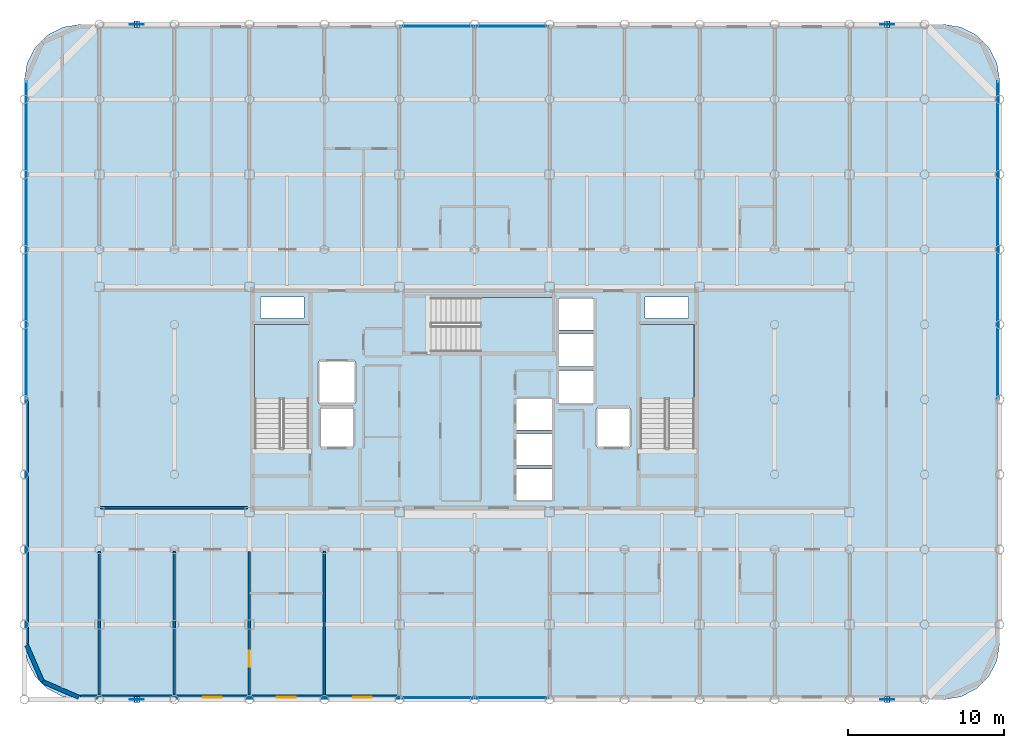
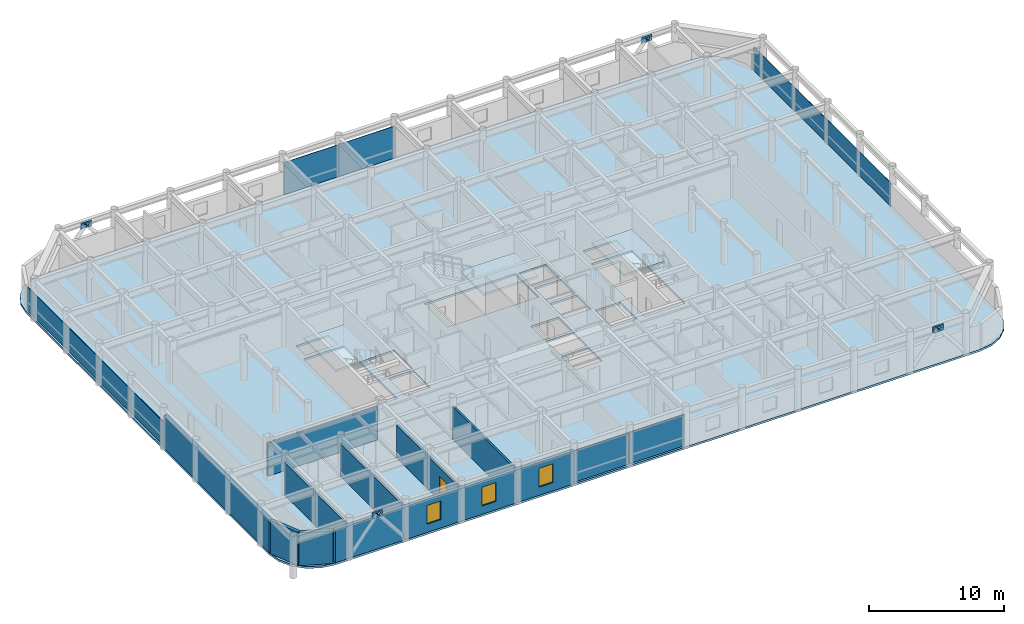
# One storey, part 17 of 23: 18 plates, 9 walls, 4 slabs, 3 windows, 1 door, 4 openings, 7 elements without a shape of their own.
"""IFC4 building model written with IfcOpenShell, lengths in metres."""

from ifc_helpers import new_model, si_unit, direction, frame, frame_2d, origin, origin_2d, place, context, subcontext, project, spatial, polyline, rectangle, outline, extrude, material, layer, layer_set, type_object, element, fill, aggregate, save


model = new_model("IFC4")

# Units and contexts
model_context = context("Model", 3, precision=1e-05, world=origin(), true_north=direction((0.0, 1.0)))
body_context = subcontext(model_context, "Body", "Model", "MODEL_VIEW")
ifc_project = project(units=[si_unit("LENGTHUNIT", "METRE"), si_unit("AREAUNIT", "SQUARE_METRE"), si_unit("VOLUMEUNIT", "CUBIC_METRE"), si_unit("PLANEANGLEUNIT", "RADIAN"), si_unit("MASSUNIT", "GRAM", prefix="KILO")], contexts=[model_context])

# Site, building, storey
site_placement = place(None, origin())
site = spatial("IfcSite", under=ifc_project, at=site_placement, CompositionType="ELEMENT")
building_placement = place(site_placement, origin())
building = spatial("IfcBuilding", under=site, at=building_placement, Name="Kallvorn Hotel Tower", CompositionType="ELEMENT")
storey_placement = place(building_placement, frame((0.0, 0.0, 237.699951171875)))
storey = spatial("IfcBuildingStorey", under=building, at=storey_placement, Name="L59", CompositionType="ELEMENT", Elevation=237.699951171875)

# Curtain wall, plates
ifc_material_1 = material(Name="Thermally broken black-anodised aluminium AA 6063-T6", Category="aluminium")
ifc_layer_1 = layer(ifc_material_1, 0.22998046875)
ifc_layer_set_1 = layer_set([ifc_layer_1], Name="CW_SYS_5_HOTEL_HIGH")
curtain_wall_type = type_object("IfcCurtainWallType", Name="CW_SYS_5_HOTEL_HIGH", PredefinedType="USERDEFINED", material=ifc_layer_set_1)
curtain_wall_1_placement = place(storey_placement, origin())
curtain_wall_1 = element("IfcCurtainWall", 1, at=curtain_wall_1_placement, inside=storey, type_object=curtain_wall_type, Name="L59 Dark-Glass Curtain Wall CW-L59-SC", ObjectType="UNITISED CURTAIN WALL", PredefinedType="USERDEFINED")
ifc_material_2 = material(Name="Triple-glazed low-e acoustic solar-control dark glass", Category="glass")
ifc_layer_2 = layer(ifc_material_2, 0.04150390625)
ifc_layer_set_2 = layer_set([ifc_layer_2], Name="CW_SYS_5_HOTEL_HIGH_PANEL")
plate_type_1 = type_object("IfcPlateType", Name="CW_SYS_5_HOTEL_HIGH_PANEL", PredefinedType="CURTAIN_PANEL", material=ifc_layer_set_2)
plate_1_placement = place(storey_placement, frame((-2.375, -19.080078125, 0.06005859375), z_axis=(0.0, 0.0, 1.0), x_axis=(1.0, 0.0, 0.0)))
plate_1 = element("IfcPlate", 2, at=plate_1_placement, type_object=plate_type_1, Name="CW-L59-SC Vision Glass Panel 00", PredefinedType="CURTAIN_PANEL", context=body_context, shape_type="SweptSolid", body=[
    extrude(rectangle(XDim=4.68994140625, YDim=0.04150390625, at=origin_2d()), origin(), (0.0, 0.0, 1.0), 2.85009765625),
])
plate_2_placement = place(storey_placement, frame((2.375, -19.080078125, 0.06005859375), z_axis=(0.0, 0.0, 1.0), x_axis=(1.0, 0.0, 0.0)))
plate_2 = element("IfcPlate", 3, at=plate_2_placement, type_object=plate_type_1, Name="CW-L59-SC Vision Glass Panel 01", PredefinedType="CURTAIN_PANEL", context=body_context, shape_type="SweptSolid", body=[
    extrude(rectangle(XDim=4.68994140625, YDim=0.04150390625, at=origin_2d()), origin(), (0.0, 0.0, 1.0), 2.85009765625),
])
aggregate(curtain_wall_1, [plate_1, plate_2])

curtain_wall_2_placement = place(storey_placement, origin())
curtain_wall_2 = element("IfcCurtainWall", 4, at=curtain_wall_2_placement, inside=storey, type_object=curtain_wall_type, Name="L59 Dark-Glass Curtain Wall CW-L59-NC", ObjectType="UNITISED CURTAIN WALL", PredefinedType="USERDEFINED")
plate_3_placement = place(storey_placement, frame((-2.375, 23.8798828125, 0.06005859375), z_axis=(0.0, 0.0, 1.0), x_axis=(1.0, 0.0, 0.0)))
plate_3 = element("IfcPlate", 5, at=plate_3_placement, type_object=plate_type_1, Name="CW-L59-NC Vision Glass Panel 00", PredefinedType="CURTAIN_PANEL", context=body_context, shape_type="SweptSolid", body=[
    extrude(rectangle(XDim=4.68994140625, YDim=0.04150390625, at=origin_2d()), origin(), (0.0, 0.0, 1.0), 2.89990234375),
])
plate_4_placement = place(storey_placement, frame((2.375, 23.8798828125, 0.06005859375), z_axis=(0.0, 0.0, 1.0), x_axis=(1.0, 0.0, 0.0)))
plate_4 = element("IfcPlate", 6, at=plate_4_placement, type_object=plate_type_1, Name="CW-L59-NC Vision Glass Panel 01", PredefinedType="CURTAIN_PANEL", context=body_context, shape_type="SweptSolid", body=[
    extrude(rectangle(XDim=4.68994140625, YDim=0.04150390625, at=origin_2d()), origin(), (0.0, 0.0, 1.0), 2.89990234375),
])
aggregate(curtain_wall_2, [plate_3, plate_4])

# Curtain wall, plate
curtain_wall_3_placement = place(storey_placement, origin())
curtain_wall_3 = element("IfcCurtainWall", 7, at=curtain_wall_3_placement, inside=storey, type_object=curtain_wall_type, Name="L59 Dark-Glass Curtain Wall CW-L59-WN", ObjectType="UNITISED CURTAIN WALL", PredefinedType="USERDEFINED")
plate_5_placement = place(storey_placement, frame((-28.679931640625, 10.2099609375, 0.06005859375), z_axis=(0.0, 0.0, 1.0), x_axis=(0.0, 1.0, 0.0)))
plate_5 = element("IfcPlate", 8, at=plate_5_placement, type_object=plate_type_1, Name="CW-L59-WN Vision Glass Panel 00", PredefinedType="CURTAIN_PANEL", context=body_context, shape_type="SweptSolid", body=[
    extrude(rectangle(XDim=20.320068359375, YDim=0.04150390625, at=origin_2d()), origin(), (0.0, 0.0, 1.0), 2.14990234375),
])
aggregate(curtain_wall_3, [plate_5])

curtain_wall_4_placement = place(storey_placement, origin())
curtain_wall_4 = element("IfcCurtainWall", 9, at=curtain_wall_4_placement, inside=storey, type_object=curtain_wall_type, Name="L59 Dark-Glass Curtain Wall CW-L59-EN", ObjectType="UNITISED CURTAIN WALL", PredefinedType="USERDEFINED")
plate_6_placement = place(storey_placement, frame((33.47998046875, 10.2099609375, 0.06005859375), z_axis=(0.0, 0.0, 1.0), x_axis=(0.0, 1.0, 0.0)))
plate_6 = element("IfcPlate", 10, at=plate_6_placement, type_object=plate_type_1, Name="CW-L59-EN Vision Glass Panel 00", PredefinedType="CURTAIN_PANEL", context=body_context, shape_type="SweptSolid", body=[
    extrude(rectangle(XDim=20.320068359375, YDim=0.04150390625, at=origin_2d()), origin(), (0.0, 0.0, 1.0), 2.14990234375),
])
aggregate(curtain_wall_4, [plate_6])

# Plates
ifc_material_3 = material(Name="Structural steel S355JR", Category="steel")
ifc_layer_3 = layer(ifc_material_3, 0.030029296875)
ifc_layer_set_3 = layer_set([ifc_layer_3], Name="PLT_CAP_30")
plate_type_2 = type_object("IfcPlateType", Name="PLT_CAP_30", PredefinedType="SHEET", material=ifc_layer_set_3)
plate_7_placement = place(storey_placement, frame((-21.435546875, -19.40185546875, 3.092529296875), z_axis=(0.620780353498, 0.0, 0.783984536015), x_axis=(0.0, 1.0, 0.0)))
element("IfcPlate", 11, at=plate_7_placement, inside=storey, type_object=plate_type_2, Name="EXO-L59-S1A End Cap Plate B", PredefinedType="SHEET", context=body_context, shape_type="SweptSolid", body=[
    extrude(outline(polyline([(0.0, 0.0), (0.40380859375, 0.0), (0.40380859375, 0.40389877105813043), (0.0, 0.40389877105813043), (0.0, 0.0)])), origin(), (0.0, 0.0, -1.0), 0.030029296875),
])
plate_8_placement = place(storey_placement, frame((-21.764404296875, -18.998046875, 3.092529296875), z_axis=(-0.621074629096, 0.0, 0.78375143068), x_axis=(0.0, -1.0, 0.0)))
element("IfcPlate", 12, at=plate_8_placement, inside=storey, type_object=plate_type_2, Name="EXO-L59-S1B End Cap Plate B", PredefinedType="SHEET", context=body_context, shape_type="SweptSolid", body=[
    extrude(outline(polyline([(0.0, 0.0), (0.40380859375, 0.0), (0.40380859375, 0.4037073970320156), (0.0, 0.4037073970320156), (0.0, 0.0)])), origin(), (0.0, 0.0, -1.0), 0.030029296875),
])
plate_9_placement = place(storey_placement, frame((26.564453125, -19.40185546875, 3.092529296875), z_axis=(0.620780353498, 0.0, 0.783984536015), x_axis=(0.0, 1.0, 0.0)))
element("IfcPlate", 13, at=plate_9_placement, inside=storey, type_object=plate_type_2, Name="EXO-L59-S2A End Cap Plate B", PredefinedType="SHEET", context=body_context, shape_type="SweptSolid", body=[
    extrude(outline(polyline([(0.0, 0.0), (0.40380859375, 0.0), (0.40380859375, 0.40389877105813043), (0.0, 0.40389877105813043), (0.0, 0.0)])), origin(), (0.0, 0.0, -1.0), 0.030029296875),
])
plate_10_placement = place(storey_placement, frame((26.235595703125, -18.998046875, 3.092529296875), z_axis=(-0.621074629096, 0.0, 0.78375143068), x_axis=(0.0, -1.0, 0.0)))
element("IfcPlate", 14, at=plate_10_placement, inside=storey, type_object=plate_type_2, Name="EXO-L59-S2B End Cap Plate B", PredefinedType="SHEET", context=body_context, shape_type="SweptSolid", body=[
    extrude(outline(polyline([(0.0, 0.0), (0.40380859375, 0.0), (0.40380859375, 0.4037073970320156), (0.0, 0.4037073970320156), (0.0, 0.0)])), origin(), (0.0, 0.0, -1.0), 0.030029296875),
])
plate_11_placement = place(storey_placement, frame((-21.435546875, 23.798095703125, 3.092529296875), z_axis=(0.620780353498, 0.0, 0.783984536015), x_axis=(0.0, 1.0, 0.0)))
element("IfcPlate", 15, at=plate_11_placement, inside=storey, type_object=plate_type_2, Name="EXO-L59-N1A End Cap Plate B", PredefinedType="SHEET", context=body_context, shape_type="SweptSolid", body=[
    extrude(outline(polyline([(0.0, 0.0), (0.40380859375, 0.0), (0.40380859375, 0.40389877105813043), (0.0, 0.40389877105813043), (0.0, 0.0)])), origin(), (0.0, 0.0, -1.0), 0.030029296875),
])
plate_12_placement = place(storey_placement, frame((-21.764404296875, 24.201904296875, 3.092529296875), z_axis=(-0.621074629096, 0.0, 0.78375143068), x_axis=(0.0, -1.0, 0.0)))
element("IfcPlate", 16, at=plate_12_placement, inside=storey, type_object=plate_type_2, Name="EXO-L59-N1B End Cap Plate B", PredefinedType="SHEET", context=body_context, shape_type="SweptSolid", body=[
    extrude(outline(polyline([(0.0, 0.0), (0.40380859375, 0.0), (0.40380859375, 0.4037073970320156), (0.0, 0.4037073970320156), (0.0, 0.0)])), origin(), (0.0, 0.0, -1.0), 0.030029296875),
])
plate_13_placement = place(storey_placement, frame((26.564453125, 23.798095703125, 3.092529296875), z_axis=(0.620780353498, 0.0, 0.783984536015), x_axis=(0.0, 1.0, 0.0)))
element("IfcPlate", 17, at=plate_13_placement, inside=storey, type_object=plate_type_2, Name="EXO-L59-N2A End Cap Plate B", PredefinedType="SHEET", context=body_context, shape_type="SweptSolid", body=[
    extrude(outline(polyline([(0.0, 0.0), (0.40380859375, 0.0), (0.40380859375, 0.40389877105813043), (0.0, 0.40389877105813043), (0.0, 0.0)])), origin(), (0.0, 0.0, -1.0), 0.030029296875),
])
plate_14_placement = place(storey_placement, frame((26.235595703125, 24.201904296875, 3.092529296875), z_axis=(-0.621074629096, 0.0, 0.78375143068), x_axis=(0.0, -1.0, 0.0)))
element("IfcPlate", 18, at=plate_14_placement, inside=storey, type_object=plate_type_2, Name="EXO-L59-N2B End Cap Plate B", PredefinedType="SHEET", context=body_context, shape_type="SweptSolid", body=[
    extrude(outline(polyline([(0.0, 0.0), (0.40380859375, 0.0), (0.40380859375, 0.4037073970320156), (0.0, 0.4037073970320156), (0.0, 0.0)])), origin(), (0.0, 0.0, -1.0), 0.030029296875),
])
ifc_material_4 = material(Name="Structural steel S355JR", Category="steel")
ifc_layer_4 = layer(ifc_material_4, 0.034912109375)
ifc_layer_set_4 = layer_set([ifc_layer_4], Name="PLT_GUSSET_35")
plate_type_3 = type_object("IfcPlateType", Name="PLT_GUSSET_35", PredefinedType="USERDEFINED", material=ifc_layer_set_4)
for number, where, z_axis, x_axis, name in (
    (19, (-21.60009765625, -19.199951171875, 2.89013671875), (0.0, 0.0, 1.0), (1.0, 0.0, 0.0), "L59 Exoskeleton Node Gusset S1"),
    (20, (26.39990234375, -19.199951171875, 2.89013671875), (0.0, 0.0, 1.0), (1.0, 0.0, 0.0), "L59 Exoskeleton Node Gusset S2"),
    (21, (-21.60009765625, 24.0, 2.89013671875), (0.0, 0.0, 1.0), (1.0, 0.0, 0.0), "L59 Exoskeleton Node Gusset N1"),
    (22, (26.39990234375, 24.0, 2.89013671875), (0.0, 0.0, 1.0), (1.0, 0.0, 0.0), "L59 Exoskeleton Node Gusset N2"),
):
    element("IfcPlate", number, at=place(storey_placement, frame(where, z_axis=z_axis, x_axis=x_axis)), inside=storey, type_object=plate_type_3, Name=name, ObjectType="GUSSET PLATE", PredefinedType="USERDEFINED", context=body_context, shape_type="SweptSolid", body=[
        extrude(rectangle(XDim=0.89990234375, YDim=0.034912109375, at=origin_2d()), origin(), (0.0, 0.0, 1.0), 0.56005859375),
    ])

# Stair, slab
ifc_material_5 = material(Name="Precast concrete C40/50", Category="concrete")
stair_type = type_object("IfcStairType", Name="STR_CORE_DOGLEG", PredefinedType="HALF_TURN_STAIR", material=ifc_material_5)
stair_1_placement = place(storey_placement, origin())
stair_1 = element("IfcStair", 23, at=stair_1_placement, inside=storey, type_object=stair_type, Name="L59 Exit stair ST1", PredefinedType="HALF_TURN_STAIR")
ifc_material_6 = material(Name="Precast concrete C40/50", Category="concrete")
ifc_layer_5 = layer(ifc_material_6, 0.179931640625)
ifc_layer_set_5 = layer_set([ifc_layer_5], Name="SLB_LANDING_180")
slab_type_1 = type_object("IfcSlabType", Name="SLB_LANDING_180", PredefinedType="LANDING", material=ifc_layer_set_5)
slab_1_placement = place(storey_placement, frame((0.0, 0.0, 1.72509765625)))
slab_1 = element("IfcSlab", 24, at=slab_1_placement, type_object=slab_type_1, Name="ST1 landing 1", PredefinedType="LANDING", context=body_context, shape_type="SweptSolid", body=[
    extrude(outline(polyline([(-10.60009765625, 0.010009765625), (-10.60009765625, 4.800048828125), (-14.06005859375, 4.800048828125), (-14.06005859375, 0.010009765625), (-10.60009765625, 0.010009765625)])), origin(), (0.0, 0.0, 1.0), 0.199951171875),
])
aggregate(stair_1, [slab_1])

stair_2_placement = place(storey_placement, origin())
stair_2 = element("IfcStair", 25, at=stair_2_placement, inside=storey, type_object=stair_type, Name="L59 Exit stair ST2", PredefinedType="HALF_TURN_STAIR")
slab_2_placement = place(storey_placement, frame((0.0, 0.0, 1.72509765625)))
slab_2 = element("IfcSlab", 26, at=slab_2_placement, type_object=slab_type_1, Name="ST2 landing 1", PredefinedType="LANDING", context=body_context, shape_type="SweptSolid", body=[
    extrude(outline(polyline([(14.06005859375, 0.010009765625), (14.06005859375, 4.800048828125), (10.60009765625, 4.800048828125), (10.60009765625, 0.010009765625), (14.06005859375, 0.010009765625)])), origin(), (0.0, 0.0, 1.0), 0.199951171875),
])
aggregate(stair_2, [slab_2])

stair_3_placement = place(storey_placement, origin())
stair_3 = element("IfcStair", 27, at=stair_3_placement, inside=storey, type_object=stair_type, Name="L59 Exit stair ST3", PredefinedType="HALF_TURN_STAIR")
slab_3_placement = place(storey_placement, frame((0.0, 0.0, 1.72509765625)))
slab_3 = element("IfcSlab", 28, at=slab_3_placement, type_object=slab_type_1, Name="ST3 landing 1", PredefinedType="LANDING", context=body_context, shape_type="SweptSolid", body=[
    extrude(outline(polyline([(0.360107421875, 3.050048828125), (5.050048828125, 3.050048828125), (5.050048828125, 6.510009765625), (0.360107421875, 6.510009765625), (0.360107421875, 3.050048828125)])), origin(), (0.0, 0.0, 1.0), 0.199951171875),
])
aggregate(stair_3, [slab_3])

# Slab
ifc_material_7 = material(Name="Concrete C40/50", Category="concrete")
ifc_layer_6 = layer(ifc_material_7, 0.179931640625)
ifc_layer_set_6 = layer_set([ifc_layer_6], Name="SLB_TOWER_180")
slab_type_2 = type_object("IfcSlabType", Name="SLB_TOWER_180", PredefinedType="FLOOR", material=ifc_layer_set_6)
slab_4_placement = place(storey_placement, frame((0.0, 0.0, -0.179931640625)))
element("IfcSlab", 29, at=slab_4_placement, inside=storey, type_object=slab_type_2, Name="L59 Structural Floor Slab", PredefinedType="FLOOR", context=body_context, shape_type="SweptSolid", body=[
    extrude(outline(polyline([(30.0, -19.199951171875), (31.112548828125, -19.023681640625), (32.115966796875, -18.512451171875), (32.91259765625, -17.716064453125), (33.423828125, -16.71240234375), (33.60009765625, -15.60009765625), (33.60009765625, 20.39990234375), (33.423828125, 21.512451171875), (32.91259765625, 22.51611328125), (32.115966796875, 23.3125), (31.112548828125, 23.82373046875), (30.0, 24.0), (-25.199951171875, 24.0), (-26.3125, 23.82373046875), (-27.31591796875, 23.3125), (-28.112548828125, 22.51611328125), (-28.623779296875, 21.512451171875), (-28.800048828125, 20.39990234375), (-28.800048828125, -15.60009765625), (-28.623779296875, -16.71240234375), (-28.112548828125, -17.716064453125), (-27.31591796875, -18.512451171875), (-26.3125, -19.023681640625), (-25.199951171875, -19.199951171875), (30.0, -19.199951171875)]), holes=[polyline([(-10.60009765625, -3.070068359375), (-10.60009765625, 4.800048828125), (-14.06005859375, 4.800048828125), (-14.06005859375, -3.070068359375), (-10.60009765625, -3.070068359375)]), polyline([(14.06005859375, -3.070068359375), (14.06005859375, 4.800048828125), (10.60009765625, 4.800048828125), (10.60009765625, -3.070068359375), (14.06005859375, -3.070068359375)]), polyline([(-2.719970703125, 3.050048828125), (5.050048828125, 3.050048828125), (5.050048828125, 6.510009765625), (-2.719970703125, 6.510009765625), (-2.719970703125, 3.050048828125)]), polyline([(2.64990234375, -6.449951171875), (5.0, -6.449951171875), (5.0, -4.449951171875), (2.64990234375, -4.449951171875), (2.64990234375, -6.449951171875)]), polyline([(2.64990234375, -4.199951171875), (5.0, -4.199951171875), (5.0, -2.199951171875), (2.64990234375, -2.199951171875), (2.64990234375, -4.199951171875)]), polyline([(2.64990234375, -1.949951171875), (5.0, -1.949951171875), (5.0, 0.050048828125), (2.64990234375, 0.050048828125), (2.64990234375, -1.949951171875)]), polyline([(5.35009765625, -0.25), (7.64990234375, -0.25), (7.64990234375, 1.85009765625), (5.35009765625, 1.85009765625), (5.35009765625, -0.25)]), polyline([(5.35009765625, 2.10009765625), (7.64990234375, 2.10009765625), (7.64990234375, 4.199951171875), (5.35009765625, 4.199951171875), (5.35009765625, 2.10009765625)]), polyline([(5.35009765625, 4.449951171875), (7.64990234375, 4.449951171875), (7.64990234375, 6.449951171875), (5.35009765625, 6.449951171875), (5.35009765625, 4.449951171875)]), polyline([(-9.85009765625, -3.050048828125), (-7.75, -3.050048828125), (-7.75, -0.550048828125), (-9.85009765625, -0.550048828125), (-9.85009765625, -3.050048828125)]), polyline([(7.85009765625, -3.050048828125), (9.949951171875, -3.050048828125), (9.949951171875, -0.550048828125), (7.85009765625, -0.550048828125), (7.85009765625, -3.050048828125)]), polyline([(-9.949951171875, -0.25), (-7.64990234375, -0.25), (-7.64990234375, 2.449951171875), (-9.949951171875, 2.449951171875), (-9.949951171875, -0.25)]), polyline([(-13.699951171875, 5.199951171875), (-10.89990234375, 5.199951171875), (-10.89990234375, 6.550048828125), (-13.699951171875, 6.550048828125), (-13.699951171875, 5.199951171875)]), polyline([(10.89990234375, 5.199951171875), (13.699951171875, 5.199951171875), (13.699951171875, 6.550048828125), (10.89990234375, 6.550048828125), (10.89990234375, 5.199951171875)])]), origin(), (0.0, 0.0, 1.0), 0.179931640625),
])

# Wall
ifc_material_8 = material(Name="Fire-rated double-layer acoustic gypsum drywall EI 60")
ifc_layer_7 = layer(ifc_material_8, 0.159912109375)
ifc_layer_set_7 = layer_set([ifc_layer_7], Name="WL_DEMISE_160")
wall_type_1 = type_object("IfcWallType", Name="WL_DEMISE_160", PredefinedType="PARTITIONING", material=ifc_layer_set_7)
wall_1_placement = place(storey_placement, frame((-19.199951171875, -18.909912109375, 0.0), z_axis=(0.0, 0.0, 1.0), x_axis=(0.0, 1.0, 0.0)))
element("IfcWall", 30, at=wall_1_placement, inside=storey, type_object=wall_type_1, Name="L59 Suite 5901 Executive Living Salon Partition", PredefinedType="PARTITIONING", context=body_context, shape_type="SweptSolid", body=[
    extrude(rectangle(XDim=9.18994140625, YDim=0.159912109375, at=frame_2d((4.594970703125, 0.0))), origin(), (0.0, 0.0, 1.0), 2.969970703125),
])

# Wall, opening, door
wall_2_placement = place(storey_placement, frame((-14.39990234375, -18.909912109375, 0.0), z_axis=(0.0, 0.0, 1.0), x_axis=(0.0, 1.0, 0.0)))
wall_2 = element("IfcWall", 31, at=wall_2_placement, inside=storey, type_object=wall_type_1, Name="L59 Suite 5901 Executive Bedroom Partition", PredefinedType="PARTITIONING", context=body_context, shape_type="SweptSolid", body=[
    extrude(rectangle(XDim=9.18994140625, YDim=0.159912109375, at=frame_2d((4.594970703125, 0.0))), origin(), (0.0, 0.0, 1.0), 2.969970703125),
])
opening_1_placement = place(wall_2_placement, frame((1.79296875, 0.0, 0.0)))
opening_1 = element("IfcOpeningElement", 32, at=opening_1_placement, cuts=wall_2, Name="Opening GD2", PredefinedType="OPENING", context=body_context, shape_type="SweptSolid", body=[
    extrude(rectangle(XDim=1.050048828125, YDim=2.199951171875, at=frame_2d((0.52490234375, 1.10009765625))), frame((0.0, 0.094970703125, 0.0), z_axis=(0.0, -1.0, 0.0), x_axis=(1.0, 0.0, 0.0)), (0.0, 0.0, 1.0), 0.18994140625),
])
ifc_material_9 = material(Name="Solid-core walnut veneer fire-rated timber door leaf", Category="wood")
door_type = type_object("IfcDoorType", Name="DR_SUITE_1050x2200", OperationType="NOTDEFINED", PredefinedType="DOOR", material=ifc_material_9)
door_placement = place(opening_1_placement, origin())
door = element("IfcDoor", 33, at=door_placement, inside=storey, type_object=door_type, Name="L59 Suite 5901 Executive Bedroom Door", OperationType="SINGLE_SWING_LEFT", OverallHeight=2.199951171875, OverallWidth=1.050048828125, PredefinedType="DOOR", context=body_context, shape_type="SweptSolid", body=[
    extrude(rectangle(XDim=1.050048828125, YDim=2.199951171875, at=frame_2d((0.52490234375, 1.10009765625))), frame((0.0, 0.02490234375, 0.0), z_axis=(0.0, -1.0, 0.0), x_axis=(1.0, 0.0, 0.0)), (0.0, 0.0, 1.0), 0.050048828125),
])
fill(opening_1, door)

# Walls
wall_3_placement = place(storey_placement, frame((-9.60009765625, -18.909912109375, 0.0), z_axis=(0.0, 0.0, 1.0), x_axis=(0.0, 1.0, 0.0)))
element("IfcWall", 34, at=wall_3_placement, inside=storey, type_object=wall_type_1, Name="L59 Suite 5901 Executive Bedroom Partition", PredefinedType="PARTITIONING", context=body_context, shape_type="SweptSolid", body=[
    extrude(rectangle(XDim=9.18994140625, YDim=0.159912109375, at=frame_2d((4.594970703125, 0.0))), origin(), (0.0, 0.0, 1.0), 2.969970703125),
])
ifc_material_10 = material(Name="Precast basalt-clad insulated concrete wall C40/50", Category="masonry")
ifc_layer_8 = layer(ifc_material_10, 0.280029296875)
ifc_layer_set_8 = layer_set([ifc_layer_8], Name="WL_EXT_LOGGIA_280")
wall_type_2 = type_object("IfcWallType", Name="WL_EXT_LOGGIA_280", PredefinedType="SOLIDWALL", material=ifc_layer_set_8)
wall_4_placement = place(storey_placement, frame((-28.657958984375, -15.720703125, 0.0), z_axis=(0.0, 0.0, 1.0), x_axis=(0.398792985289, -0.917040977756, 0.0)))
element("IfcWall", 35, at=wall_4_placement, inside=storey, type_object=wall_type_2, Name="L59 Rounded Corner Exterior Wall SW1", PredefinedType="SOLIDWALL", context=body_context, shape_type="SweptSolid", body=[
    extrude(rectangle(XDim=2.536376953125, YDim=0.280029296875, at=frame_2d((1.26806640625, 0.0))), origin(), (0.0, 0.0, 1.0), 3.02001953125),
])
wall_5_placement = place(storey_placement, frame((-27.646484375, -18.046630859375, 0.0), z_axis=(0.0, 0.0, 1.0), x_axis=(0.917060872934, -0.398747232384, 0.0)))
element("IfcWall", 36, at=wall_5_placement, inside=storey, type_object=wall_type_2, Name="L59 Rounded Corner Exterior Wall SW2", PredefinedType="SOLIDWALL", context=body_context, shape_type="SweptSolid", body=[
    extrude(rectangle(XDim=2.5361328125, YDim=0.280029296875, at=frame_2d((1.26806640625, 0.0))), origin(), (0.0, 0.0, 1.0), 2.969970703125),
])

# Wall, openings, windows
wall_6_placement = place(storey_placement, frame((-25.199951171875, -19.06005859375, 0.0), z_axis=(0.0, 0.0, 1.0), x_axis=(1.0, 0.0, 0.0)))
wall_6 = element("IfcWall", 37, at=wall_6_placement, inside=storey, type_object=wall_type_2, Name="L59 Exterior Envelope Wall EW-L59-SW", PredefinedType="SOLIDWALL", context=body_context, shape_type="SweptSolid", body=[
    extrude(rectangle(XDim=20.449951171875, YDim=0.280029296875, at=frame_2d((10.22509765625, 0.0))), origin(), (0.0, 0.0, 1.0), 2.969970703125),
])
opening_2_placement = place(wall_6_placement, frame((7.840087890625, 0.0, 0.75)))
opening_2 = element("IfcOpeningElement", 38, at=opening_2_placement, cuts=wall_6, Name="Opening W06", PredefinedType="OPENING", context=body_context, shape_type="SweptSolid", body=[
    extrude(rectangle(XDim=1.199951171875, YDim=1.699951171875, at=frame_2d((0.60009765625, 0.85009765625))), frame((0.0, 0.155029296875, 0.0), z_axis=(0.0, -1.0, 0.0), x_axis=(1.0, 0.0, 0.0)), (0.0, 0.0, 1.0), 0.31005859375),
])
opening_3_placement = place(wall_6_placement, frame((12.56005859375, 0.0, 0.75)))
opening_3 = element("IfcOpeningElement", 39, at=opening_3_placement, cuts=wall_6, Name="Opening W06", PredefinedType="OPENING", context=body_context, shape_type="SweptSolid", body=[
    extrude(rectangle(XDim=1.199951171875, YDim=1.699951171875, at=frame_2d((0.60009765625, 0.85009765625))), frame((0.0, 0.155029296875, 0.0), z_axis=(0.0, -1.0, 0.0), x_axis=(1.0, 0.0, 0.0)), (0.0, 0.0, 1.0), 0.31005859375),
])
opening_4_placement = place(wall_6_placement, frame((17.43994140625, 0.0, 0.75)))
opening_4 = element("IfcOpeningElement", 40, at=opening_4_placement, cuts=wall_6, Name="Opening W06", PredefinedType="OPENING", context=body_context, shape_type="SweptSolid", body=[
    extrude(rectangle(XDim=1.199951171875, YDim=1.699951171875, at=frame_2d((0.60009765625, 0.85009765625))), frame((0.0, 0.155029296875, 0.0), z_axis=(0.0, -1.0, 0.0), x_axis=(1.0, 0.0, 0.0)), (0.0, 0.0, 1.0), 0.31005859375),
])
ifc_material_11 = material(Name="Triple-glazed low-e acoustic solar-control dark glass", Category="glass")
window_type = type_object("IfcWindowType", Name="WN_HTL_1200x1700", PartitioningType="SINGLE_PANEL", PredefinedType="WINDOW", material=ifc_material_11)
window_1_placement = place(opening_2_placement, origin())
window_1 = element("IfcWindow", 41, at=window_1_placement, inside=storey, type_object=window_type, Name="L59 Guestroom Exterior Window 03", OverallHeight=1.699951171875, OverallWidth=1.199951171875, PartitioningType="SINGLE_PANEL", PredefinedType="WINDOW", context=body_context, shape_type="SweptSolid", body=[
    extrude(rectangle(XDim=1.199951171875, YDim=1.699951171875, at=frame_2d((0.60009765625, 0.85009765625))), frame((0.0, 0.030029296875, 0.0), z_axis=(0.0, -1.0, 0.0), x_axis=(1.0, 0.0, 0.0)), (0.0, 0.0, 1.0), 0.06005859375),
])
fill(opening_2, window_1)
window_2_placement = place(opening_3_placement, origin())
window_2 = element("IfcWindow", 42, at=window_2_placement, inside=storey, type_object=window_type, Name="L59 Guestroom Exterior Window 04", OverallHeight=1.699951171875, OverallWidth=1.199951171875, PartitioningType="SINGLE_PANEL", PredefinedType="WINDOW", context=body_context, shape_type="SweptSolid", body=[
    extrude(rectangle(XDim=1.199951171875, YDim=1.699951171875, at=frame_2d((0.60009765625, 0.85009765625))), frame((0.0, 0.030029296875, 0.0), z_axis=(0.0, -1.0, 0.0), x_axis=(1.0, 0.0, 0.0)), (0.0, 0.0, 1.0), 0.06005859375),
])
fill(opening_3, window_2)
window_3_placement = place(opening_4_placement, origin())
window_3 = element("IfcWindow", 43, at=window_3_placement, inside=storey, type_object=window_type, Name="L59 Guestroom Exterior Window 05", OverallHeight=1.699951171875, OverallWidth=1.199951171875, PartitioningType="SINGLE_PANEL", PredefinedType="WINDOW", context=body_context, shape_type="SweptSolid", body=[
    extrude(rectangle(XDim=1.199951171875, YDim=1.699951171875, at=frame_2d((0.60009765625, 0.85009765625))), frame((0.0, 0.030029296875, 0.0), z_axis=(0.0, -1.0, 0.0), x_axis=(1.0, 0.0, 0.0)), (0.0, 0.0, 1.0), 0.06005859375),
])
fill(opening_4, window_3)

# Walls
wall_7_placement = place(storey_placement, frame((-28.659912109375, -15.60009765625, 0.0), z_axis=(0.0, 0.0, 1.0), x_axis=(0.0, 1.0, 0.0)))
element("IfcWall", 44, at=wall_7_placement, inside=storey, type_object=wall_type_2, Name="L59 Exterior Envelope Wall EW-L59-WS", PredefinedType="SOLIDWALL", context=body_context, shape_type="SweptSolid", body=[
    extrude(rectangle(XDim=15.580078125, YDim=0.280029296875, at=frame_2d((7.7900390625, 0.0))), origin(), (0.0, 0.0, 1.0), 2.969970703125),
])
ifc_material_12 = material(Name="Fire-rated double-layer acoustic gypsum drywall EI 60")
ifc_layer_9 = layer(ifc_material_12, 0.14990234375)
ifc_layer_set_9 = layer_set([ifc_layer_9], Name="WL_PART_150")
wall_type_3 = type_object("IfcWallType", Name="WL_PART_150", PredefinedType="PARTITIONING", material=ifc_layer_set_9)
wall_8_placement = place(storey_placement, frame((-23.919921875, -6.919921875, 0.0), z_axis=(0.0, 0.0, 1.0), x_axis=(1.0, 0.0, 0.0)))
element("IfcWall", 45, at=wall_8_placement, inside=storey, type_object=wall_type_3, Name="L59 L59 High-Zone Inner West Club Bar Partition", PredefinedType="PARTITIONING", context=body_context, shape_type="SweptSolid", body=[
    extrude(rectangle(XDim=9.39990234375, YDim=0.14990234375, at=frame_2d((4.699951171875, 0.0))), origin(), (0.0, 0.0, 1.0), 2.969970703125),
])
wall_9_placement = place(storey_placement, frame((-24.0, -18.909912109375, 0.0), z_axis=(0.0, 0.0, 1.0), x_axis=(0.0, 1.0, 0.0)))
element("IfcWall", 46, at=wall_9_placement, inside=storey, type_object=wall_type_3, Name="L59 L59 High-Zone South-West Tea Bar Partition", PredefinedType="PARTITIONING", context=body_context, shape_type="SweptSolid", body=[
    extrude(rectangle(XDim=9.18994140625, YDim=0.14990234375, at=frame_2d((4.594970703125, 0.0))), origin(), (0.0, 0.0, 1.0), 2.969970703125),
])

save(model, "model.ifc")
